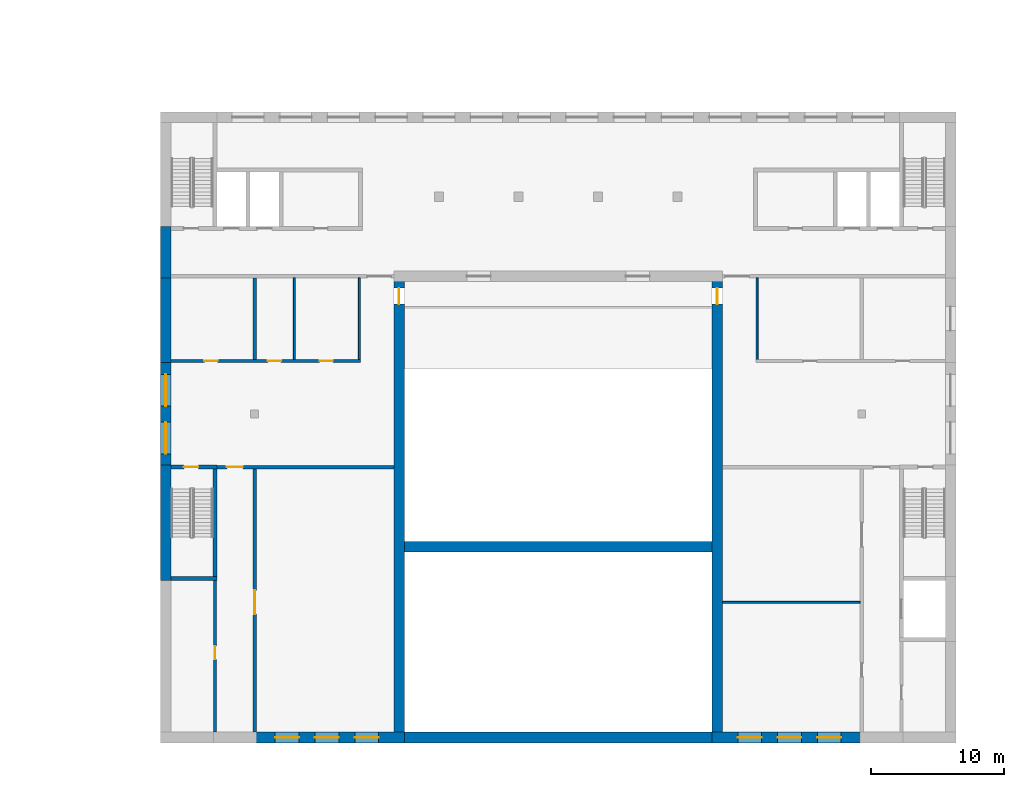
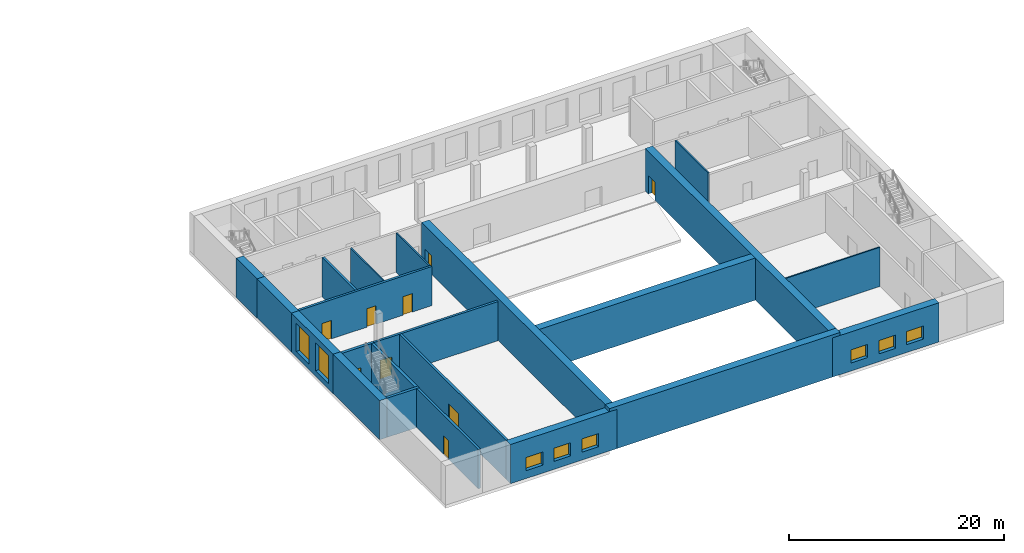
# One storey, part 3 of 24: 22 walls, 9 doors, 8 windows, 17 openings.
"""IFC4 building model written with IfcOpenShell, lengths in metres."""

from ifc_helpers import new_model, si_unit, direction, frame, frame_2d, origin, place, context, subcontext, project, spatial, rectangle, extrude, material, layer, layer_set, type_object, element, fill, save


model = new_model("IFC4")

# Units and contexts
model_context = context("Model", 3, precision=1e-05, world=origin(), true_north=direction((0.0, 1.0)))
body_context = subcontext(model_context, "Body", "Model", "MODEL_VIEW")
ifc_project = project(units=[si_unit("LENGTHUNIT", "METRE"), si_unit("AREAUNIT", "SQUARE_METRE"), si_unit("VOLUMEUNIT", "CUBIC_METRE"), si_unit("PLANEANGLEUNIT", "RADIAN"), si_unit("MASSUNIT", "GRAM", prefix="KILO")], contexts=[model_context])

# Site, building, storey
site_placement = place(None, origin())
site = spatial("IfcSite", under=ifc_project, at=site_placement, CompositionType="ELEMENT")
building_placement = place(site_placement, origin())
building = spatial("IfcBuilding", under=site, at=building_placement, Name="Kiln Ring Residences", CompositionType="ELEMENT")
storey_placement = place(building_placement, frame((0.0, 0.0, 11.300048828125)))
storey = spatial("IfcBuildingStorey", under=building, at=storey_placement, Name="L02", CompositionType="ELEMENT", Elevation=11.300048828125)

# Walls
ifc_material_1 = material(Name="Concrete C40/50", Category="concrete")
ifc_layer_1 = layer(ifc_material_1, 0.800048828125)
ifc_layer_set_1 = layer_set([ifc_layer_1], Name="Hall Board-marked concrete C40/50 hall wall 800")
wall_type_1 = type_object("IfcWallType", Name="Hall Board-marked concrete C40/50 hall wall 800", PredefinedType="SOLIDWALL", material=ifc_layer_set_1)
wall_1_placement = place(storey_placement, frame((-12.39990234375, -159.60009765625, 0.0), z_axis=(0.0, 0.0, 1.0), x_axis=(1.0, 0.0, 0.0)))
element("IfcWall", 1, at=wall_1_placement, inside=storey, type_object=wall_type_1, Name="Hall wall L02 4", PredefinedType="SOLIDWALL", context=body_context, shape_type="SweptSolid", body=[
    extrude(rectangle(XDim=24.7998046875, YDim=0.800048828125, at=frame_2d((12.39990234375, 0.0))), origin(), (0.0, 0.0, 1.0), 4.800048828125),
])
ifc_material_2 = material(Name="Concrete C40/50", Category="concrete")
ifc_layer_2 = layer(ifc_material_2, 0.800048828125)
ifc_layer_set_2 = layer_set([ifc_layer_2], Name="Hall Board-marked concrete C40/50 hall wall 800 internal")
wall_type_2 = type_object("IfcWallType", Name="Hall Board-marked concrete C40/50 hall wall 800 internal", PredefinedType="SOLIDWALL", material=ifc_layer_set_2)
wall_2_placement = place(storey_placement, frame((-11.60009765625, -145.199951171875, 0.0), z_axis=(0.0, 0.0, 1.0), x_axis=(1.0, 0.0, 0.0)))
element("IfcWall", 2, at=wall_2_placement, inside=storey, type_object=wall_type_2, Name="Hall wall L02 12", PredefinedType="SOLIDWALL", context=body_context, shape_type="SweptSolid", body=[
    extrude(rectangle(XDim=23.2001953125, YDim=0.800048828125, at=frame_2d((11.60009765625, 0.0))), origin(), (0.0, 0.0, 1.0), 4.800048828125),
])

# Wall, opening, door
wall_3_placement = place(storey_placement, frame((-12.0, -159.199951171875, 0.0), z_axis=(0.0, 0.0, 1.0), x_axis=(0.0, 1.0, 0.0)))
wall_3 = element("IfcWall", 3, at=wall_3_placement, inside=storey, type_object=wall_type_2, Name="Hall wall L02 45", PredefinedType="SOLIDWALL", context=body_context, shape_type="SweptSolid", body=[
    extrude(rectangle(XDim=34.125, YDim=0.800048828125, at=frame_2d((17.0625, 0.0))), origin(), (0.0, 0.0, 1.0), 4.800048828125),
])
opening_1_placement = place(wall_3_placement, frame((32.300048828125, 0.0, 0.0)))
opening_1 = element("IfcOpeningElement", 4, at=opening_1_placement, cuts=wall_3, Name="Opening L02-14", PredefinedType="OPENING", context=body_context, shape_type="SweptSolid", body=[
    extrude(rectangle(XDim=1.199951171875, YDim=2.10009765625, at=frame_2d((0.60009765625, 1.050048828125))), frame((0.0, 0.409912109375, 0.0), z_axis=(0.0, -1.0, 0.0), x_axis=(1.0, 0.0, 0.0)), (0.0, 0.0, 1.0), 0.820068359375),
])
ifc_material_3 = material(Name="Steel door leaf", Category="steel")
door_type_1 = type_object("IfcDoorType", Name="Hall Single door 1200 x 2100", OperationType="SINGLE_SWING_LEFT", PredefinedType="DOOR", material=ifc_material_3)
door_1_placement = place(opening_1_placement, origin())
door_1 = element("IfcDoor", 5, at=door_1_placement, inside=storey, type_object=door_type_1, Name="Hall door L02-14", OperationType="SINGLE_SWING_RIGHT", OverallHeight=2.10009765625, OverallWidth=1.199951171875, PredefinedType="DOOR", context=body_context, shape_type="SweptSolid", body=[
    extrude(rectangle(XDim=1.199951171875, YDim=2.10009765625, at=frame_2d((0.60009765625, 1.050048828125))), frame((0.0, 0.02490234375, 0.0), z_axis=(0.0, -1.0, 0.0), x_axis=(1.0, 0.0, 0.0)), (0.0, 0.0, 1.0), 0.050048828125),
])
fill(opening_1, door_1)

wall_4_placement = place(storey_placement, frame((12.0, -159.199951171875, 0.0), z_axis=(0.0, 0.0, 1.0), x_axis=(0.0, 1.0, 0.0)))
wall_4 = element("IfcWall", 6, at=wall_4_placement, inside=storey, type_object=wall_type_2, Name="Hall wall L02 46", PredefinedType="SOLIDWALL", context=body_context, shape_type="SweptSolid", body=[
    extrude(rectangle(XDim=34.125, YDim=0.800048828125, at=frame_2d((17.0625, 0.0))), origin(), (0.0, 0.0, 1.0), 4.800048828125),
])
opening_2_placement = place(wall_4_placement, frame((32.300048828125, 0.0, 0.0)))
opening_2 = element("IfcOpeningElement", 7, at=opening_2_placement, cuts=wall_4, Name="Opening L02-15", PredefinedType="OPENING", context=body_context, shape_type="SweptSolid", body=[
    extrude(rectangle(XDim=1.199951171875, YDim=2.10009765625, at=frame_2d((0.60009765625, 1.050048828125))), frame((0.0, 0.409912109375, 0.0), z_axis=(0.0, -1.0, 0.0), x_axis=(1.0, 0.0, 0.0)), (0.0, 0.0, 1.0), 0.820068359375),
])
door_2_placement = place(opening_2_placement, origin())
door_2 = element("IfcDoor", 8, at=door_2_placement, inside=storey, type_object=door_type_1, Name="Hall door L02-15", OperationType="SINGLE_SWING_LEFT", OverallHeight=2.10009765625, OverallWidth=1.199951171875, PredefinedType="DOOR", context=body_context, shape_type="SweptSolid", body=[
    extrude(rectangle(XDim=1.199951171875, YDim=2.10009765625, at=frame_2d((0.60009765625, 1.050048828125))), frame((0.0, 0.02490234375, 0.0), z_axis=(0.0, -1.0, 0.0), x_axis=(1.0, 0.0, 0.0)), (0.0, 0.0, 1.0), 0.050048828125),
])
fill(opening_2, door_2)

# Wall, openings, windows
ifc_material_4 = material(Name="Concrete C40/50", Category="concrete")
ifc_layer_3 = layer(ifc_material_4, 0.800048828125)
ifc_layer_set_3 = layer_set([ifc_layer_3], Name="Hall Exposed brick-faced reinforced concrete C40/50 wall 800")
wall_type_3 = type_object("IfcWallType", Name="Hall Exposed brick-faced reinforced concrete C40/50 wall 800", PredefinedType="SOLIDWALL", material=ifc_layer_set_3)
wall_5_placement = place(storey_placement, frame((-23.02490234375, -159.60009765625, 0.0), z_axis=(0.0, 0.0, 1.0), x_axis=(1.0, 0.0, 0.0)))
wall_5 = element("IfcWall", 9, at=wall_5_placement, inside=storey, type_object=wall_type_3, Name="Hall wall L02 3", PredefinedType="SOLIDWALL", context=body_context, shape_type="SweptSolid", body=[
    extrude(rectangle(XDim=11.4248046875, YDim=0.800048828125, at=frame_2d((5.71240234375, 0.0))), origin(), (0.0, 0.0, 1.0), 4.449951171875),
])
opening_3_placement = place(wall_5_placement, frame((1.6748046875, 0.0, 0.89990234375)))
opening_3 = element("IfcOpeningElement", 10, at=opening_3_placement, cuts=wall_5, Name="Opening WL02-20", PredefinedType="OPENING", context=body_context, shape_type="SweptSolid", body=[
    extrude(rectangle(XDim=1.800048828125, YDim=1.5, at=frame_2d((0.89990234375, 0.75))), frame((0.0, 0.409912109375, 0.0), z_axis=(0.0, -1.0, 0.0), x_axis=(1.0, 0.0, 0.0)), (0.0, 0.0, 1.0), 0.820068359375),
])
opening_4_placement = place(wall_5_placement, frame((4.6748046875, 0.0, 0.89990234375)))
opening_4 = element("IfcOpeningElement", 11, at=opening_4_placement, cuts=wall_5, Name="Opening WL02-21", PredefinedType="OPENING", context=body_context, shape_type="SweptSolid", body=[
    extrude(rectangle(XDim=1.800048828125, YDim=1.5, at=frame_2d((0.89990234375, 0.75))), frame((0.0, 0.409912109375, 0.0), z_axis=(0.0, -1.0, 0.0), x_axis=(1.0, 0.0, 0.0)), (0.0, 0.0, 1.0), 0.820068359375),
])
opening_5_placement = place(wall_5_placement, frame((7.6748046875, 0.0, 0.89990234375)))
opening_5 = element("IfcOpeningElement", 12, at=opening_5_placement, cuts=wall_5, Name="Opening WL02-22", PredefinedType="OPENING", context=body_context, shape_type="SweptSolid", body=[
    extrude(rectangle(XDim=1.800048828125, YDim=1.5, at=frame_2d((0.89990234375, 0.75))), frame((0.0, 0.409912109375, 0.0), z_axis=(0.0, -1.0, 0.0), x_axis=(1.0, 0.0, 0.0)), (0.0, 0.0, 1.0), 0.820068359375),
])
ifc_material_5 = material(Name="Glazing in aluminium frame", Category="aluminium")
window_type_1 = type_object("IfcWindowType", Name="Hall room window 1800 x 1500", PartitioningType="DOUBLE_PANEL_VERTICAL", PredefinedType="WINDOW", material=ifc_material_5)
window_1_placement = place(opening_3_placement, origin())
window_1 = element("IfcWindow", 13, at=window_1_placement, inside=storey, type_object=window_type_1, Name="Hall window L02-20", OverallHeight=1.5, OverallWidth=1.800048828125, PartitioningType="SINGLE_PANEL", PredefinedType="WINDOW", context=body_context, shape_type="SweptSolid", body=[
    extrude(rectangle(XDim=1.800048828125, YDim=1.5, at=frame_2d((0.89990234375, 0.75))), frame((0.0, 0.030029296875, 0.0), z_axis=(0.0, -1.0, 0.0), x_axis=(1.0, 0.0, 0.0)), (0.0, 0.0, 1.0), 0.06005859375),
])
fill(opening_3, window_1)
window_2_placement = place(opening_4_placement, origin())
window_2 = element("IfcWindow", 14, at=window_2_placement, inside=storey, type_object=window_type_1, Name="Hall window L02-21", OverallHeight=1.5, OverallWidth=1.800048828125, PartitioningType="SINGLE_PANEL", PredefinedType="WINDOW", context=body_context, shape_type="SweptSolid", body=[
    extrude(rectangle(XDim=1.800048828125, YDim=1.5, at=frame_2d((0.89990234375, 0.75))), frame((0.0, 0.030029296875, 0.0), z_axis=(0.0, -1.0, 0.0), x_axis=(1.0, 0.0, 0.0)), (0.0, 0.0, 1.0), 0.06005859375),
])
fill(opening_4, window_2)
window_3_placement = place(opening_5_placement, origin())
window_3 = element("IfcWindow", 15, at=window_3_placement, inside=storey, type_object=window_type_1, Name="Hall window L02-22", OverallHeight=1.5, OverallWidth=1.800048828125, PartitioningType="SINGLE_PANEL", PredefinedType="WINDOW", context=body_context, shape_type="SweptSolid", body=[
    extrude(rectangle(XDim=1.800048828125, YDim=1.5, at=frame_2d((0.89990234375, 0.75))), frame((0.0, 0.030029296875, 0.0), z_axis=(0.0, -1.0, 0.0), x_axis=(1.0, 0.0, 0.0)), (0.0, 0.0, 1.0), 0.06005859375),
])
fill(opening_5, window_3)

wall_6_placement = place(storey_placement, frame((11.60009765625, -159.60009765625, 0.0), z_axis=(0.0, 0.0, 1.0), x_axis=(1.0, 0.0, 0.0)))
wall_6 = element("IfcWall", 16, at=wall_6_placement, inside=storey, type_object=wall_type_3, Name="Hall wall L02 5", PredefinedType="SOLIDWALL", context=body_context, shape_type="SweptSolid", body=[
    extrude(rectangle(XDim=11.4248046875, YDim=0.800048828125, at=frame_2d((5.71240234375, 0.0))), origin(), (0.0, 0.0, 1.0), 4.449951171875),
])
opening_6_placement = place(wall_6_placement, frame((1.949951171875, 0.0, 0.89990234375)))
opening_6 = element("IfcOpeningElement", 17, at=opening_6_placement, cuts=wall_6, Name="Opening WL02-23", PredefinedType="OPENING", context=body_context, shape_type="SweptSolid", body=[
    extrude(rectangle(XDim=1.800048828125, YDim=1.5, at=frame_2d((0.89990234375, 0.75))), frame((0.0, 0.409912109375, 0.0), z_axis=(0.0, -1.0, 0.0), x_axis=(1.0, 0.0, 0.0)), (0.0, 0.0, 1.0), 0.820068359375),
])
opening_7_placement = place(wall_6_placement, frame((4.949951171875, 0.0, 0.89990234375)))
opening_7 = element("IfcOpeningElement", 18, at=opening_7_placement, cuts=wall_6, Name="Opening WL02-24", PredefinedType="OPENING", context=body_context, shape_type="SweptSolid", body=[
    extrude(rectangle(XDim=1.800048828125, YDim=1.5, at=frame_2d((0.89990234375, 0.75))), frame((0.0, 0.409912109375, 0.0), z_axis=(0.0, -1.0, 0.0), x_axis=(1.0, 0.0, 0.0)), (0.0, 0.0, 1.0), 0.820068359375),
])
opening_8_placement = place(wall_6_placement, frame((7.949951171875, 0.0, 0.89990234375)))
opening_8 = element("IfcOpeningElement", 19, at=opening_8_placement, cuts=wall_6, Name="Opening WL02-25", PredefinedType="OPENING", context=body_context, shape_type="SweptSolid", body=[
    extrude(rectangle(XDim=1.800048828125, YDim=1.5, at=frame_2d((0.89990234375, 0.75))), frame((0.0, 0.409912109375, 0.0), z_axis=(0.0, -1.0, 0.0), x_axis=(1.0, 0.0, 0.0)), (0.0, 0.0, 1.0), 0.820068359375),
])
window_4_placement = place(opening_6_placement, origin())
window_4 = element("IfcWindow", 20, at=window_4_placement, inside=storey, type_object=window_type_1, Name="Hall window L02-23", OverallHeight=1.5, OverallWidth=1.800048828125, PartitioningType="SINGLE_PANEL", PredefinedType="WINDOW", context=body_context, shape_type="SweptSolid", body=[
    extrude(rectangle(XDim=1.800048828125, YDim=1.5, at=frame_2d((0.89990234375, 0.75))), frame((0.0, 0.030029296875, 0.0), z_axis=(0.0, -1.0, 0.0), x_axis=(1.0, 0.0, 0.0)), (0.0, 0.0, 1.0), 0.06005859375),
])
fill(opening_6, window_4)
window_5_placement = place(opening_7_placement, origin())
window_5 = element("IfcWindow", 21, at=window_5_placement, inside=storey, type_object=window_type_1, Name="Hall window L02-24", OverallHeight=1.5, OverallWidth=1.800048828125, PartitioningType="SINGLE_PANEL", PredefinedType="WINDOW", context=body_context, shape_type="SweptSolid", body=[
    extrude(rectangle(XDim=1.800048828125, YDim=1.5, at=frame_2d((0.89990234375, 0.75))), frame((0.0, 0.030029296875, 0.0), z_axis=(0.0, -1.0, 0.0), x_axis=(1.0, 0.0, 0.0)), (0.0, 0.0, 1.0), 0.06005859375),
])
fill(opening_7, window_5)
window_6_placement = place(opening_8_placement, origin())
window_6 = element("IfcWindow", 22, at=window_6_placement, inside=storey, type_object=window_type_1, Name="Hall window L02-25", OverallHeight=1.5, OverallWidth=1.800048828125, PartitioningType="SINGLE_PANEL", PredefinedType="WINDOW", context=body_context, shape_type="SweptSolid", body=[
    extrude(rectangle(XDim=1.800048828125, YDim=1.5, at=frame_2d((0.89990234375, 0.75))), frame((0.0, 0.030029296875, 0.0), z_axis=(0.0, -1.0, 0.0), x_axis=(1.0, 0.0, 0.0)), (0.0, 0.0, 1.0), 0.06005859375),
])
fill(opening_8, window_6)

# Wall
wall_7_placement = place(storey_placement, frame((-29.60009765625, -147.75, 0.0), z_axis=(0.0, 0.0, 1.0), x_axis=(0.0, 1.0, 0.0)))
element("IfcWall", 23, at=wall_7_placement, inside=storey, type_object=wall_type_3, Name="Hall wall L02 30", PredefinedType="SOLIDWALL", context=body_context, shape_type="SweptSolid", body=[
    extrude(rectangle(XDim=8.699951171875, YDim=0.800048828125, at=frame_2d((4.35009765625, 0.0))), origin(), (0.0, 0.0, 1.0), 4.449951171875),
])

# Wall, openings, windows
wall_8_placement = place(storey_placement, frame((-29.60009765625, -139.349853515625, 0.0), z_axis=(0.0, 0.0, 1.0), x_axis=(0.0, 1.0, 0.0)))
wall_8 = element("IfcWall", 24, at=wall_8_placement, inside=storey, type_object=wall_type_3, Name="Hall wall L02 31", PredefinedType="SOLIDWALL", context=body_context, shape_type="SweptSolid", body=[
    extrude(rectangle(XDim=8.274658203125, YDim=0.800048828125, at=frame_2d((4.13720703125, 0.0))), origin(), (0.0, 0.0, 1.0), 4.449951171875),
])
opening_9_placement = place(wall_8_placement, frame((1.14990234375, 0.0, 0.60009765625)))
opening_9 = element("IfcOpeningElement", 25, at=opening_9_placement, cuts=wall_8, Name="Opening WL02-15", PredefinedType="OPENING", context=body_context, shape_type="SweptSolid", body=[
    extrude(rectangle(XDim=2.39990234375, YDim=3.199951171875, at=frame_2d((1.199951171875, 1.60009765625))), frame((0.0, 0.409912109375, 0.0), z_axis=(0.0, -1.0, 0.0), x_axis=(1.0, 0.0, 0.0)), (0.0, 0.0, 1.0), 0.820068359375),
])
opening_10_placement = place(wall_8_placement, frame((4.75, 0.0, 0.60009765625)))
opening_10 = element("IfcOpeningElement", 26, at=opening_10_placement, cuts=wall_8, Name="Opening WL02-16", PredefinedType="OPENING", context=body_context, shape_type="SweptSolid", body=[
    extrude(rectangle(XDim=2.39990234375, YDim=3.199951171875, at=frame_2d((1.199951171875, 1.60009765625))), frame((0.0, 0.409912109375, 0.0), z_axis=(0.0, -1.0, 0.0), x_axis=(1.0, 0.0, 0.0)), (0.0, 0.0, 1.0), 0.820068359375),
])
ifc_material_6 = material(Name="Glazing in aluminium frame", Category="aluminium")
window_type_2 = type_object("IfcWindowType", Name="Hall foyer window 2400 x 3200", PartitioningType="SINGLE_PANEL", PredefinedType="WINDOW", material=ifc_material_6)
window_7_placement = place(opening_9_placement, origin())
window_7 = element("IfcWindow", 27, at=window_7_placement, inside=storey, type_object=window_type_2, Name="Hall window L02-15", OverallHeight=3.199951171875, OverallWidth=2.39990234375, PartitioningType="SINGLE_PANEL", PredefinedType="WINDOW", context=body_context, shape_type="SweptSolid", body=[
    extrude(rectangle(XDim=2.39990234375, YDim=3.199951171875, at=frame_2d((1.199951171875, 1.60009765625))), frame((0.0, 0.030029296875, 0.0), z_axis=(0.0, -1.0, 0.0), x_axis=(1.0, 0.0, 0.0)), (0.0, 0.0, 1.0), 0.06005859375),
])
fill(opening_9, window_7)
window_8_placement = place(opening_10_placement, origin())
window_8 = element("IfcWindow", 28, at=window_8_placement, inside=storey, type_object=window_type_2, Name="Hall window L02-16", OverallHeight=3.199951171875, OverallWidth=2.39990234375, PartitioningType="SINGLE_PANEL", PredefinedType="WINDOW", context=body_context, shape_type="SweptSolid", body=[
    extrude(rectangle(XDim=2.39990234375, YDim=3.199951171875, at=frame_2d((1.199951171875, 1.60009765625))), frame((0.0, 0.030029296875, 0.0), z_axis=(0.0, -1.0, 0.0), x_axis=(1.0, 0.0, 0.0)), (0.0, 0.0, 1.0), 0.06005859375),
])
fill(opening_10, window_8)

# Walls
wall_9_placement = place(storey_placement, frame((-29.60009765625, -131.324951171875, 0.0), z_axis=(0.0, 0.0, 1.0), x_axis=(0.0, 1.0, 0.0)))
element("IfcWall", 29, at=wall_9_placement, inside=storey, type_object=wall_type_3, Name="Hall wall L02 32", PredefinedType="SOLIDWALL", context=body_context, shape_type="SweptSolid", body=[
    extrude(rectangle(XDim=6.64990234375, YDim=0.800048828125, at=frame_2d((3.324951171875, 0.0))), origin(), (0.0, 0.0, 1.0), 4.449951171875),
])
wall_10_placement = place(storey_placement, frame((-29.60009765625, -124.9248046875, 0.0), z_axis=(0.0, 0.0, 1.0), x_axis=(0.0, 1.0, 0.0)))
element("IfcWall", 30, at=wall_10_placement, inside=storey, type_object=wall_type_3, Name="Hall wall L02 33", PredefinedType="SOLIDWALL", context=body_context, shape_type="SweptSolid", body=[
    extrude(rectangle(XDim=3.874755859375, YDim=0.800048828125, at=frame_2d((1.9375, 0.0))), origin(), (0.0, 0.0, 1.0), 4.449951171875),
])
ifc_material_7 = material(Name="Concrete C40/50", Category="concrete")
ifc_layer_4 = layer(ifc_material_7, 0.300048828125)
ifc_layer_set_4 = layer_set([ifc_layer_4], Name="Hall Reinforced concrete C40/50 core wall 300")
wall_type_4 = type_object("IfcWallType", Name="Hall Reinforced concrete C40/50 core wall 300", PredefinedType="SOLIDWALL", material=ifc_layer_set_4)
wall_11_placement = place(storey_placement, frame((-29.199951171875, -147.60009765625, 0.0), z_axis=(0.0, 0.0, 1.0), x_axis=(1.0, 0.0, 0.0)))
element("IfcWall", 31, at=wall_11_placement, inside=storey, type_object=wall_type_4, Name="Hall wall L02 10", PredefinedType="SOLIDWALL", context=body_context, shape_type="SweptSolid", body=[
    extrude(rectangle(XDim=3.449951171875, YDim=0.300048828125, at=frame_2d((1.72509765625, 0.0))), origin(), (0.0, 0.0, 1.0), 4.449951171875),
])

# Wall, opening, door
wall_12_placement = place(storey_placement, frame((-29.199951171875, -139.199951171875, 0.0), z_axis=(0.0, 0.0, 1.0), x_axis=(1.0, 0.0, 0.0)))
wall_12 = element("IfcWall", 32, at=wall_12_placement, inside=storey, type_object=wall_type_4, Name="Hall wall L02 13", PredefinedType="SOLIDWALL", context=body_context, shape_type="SweptSolid", body=[
    extrude(rectangle(XDim=3.449951171875, YDim=0.300048828125, at=frame_2d((1.72509765625, 0.0))), origin(), (0.0, 0.0, 1.0), 4.449951171875),
])
opening_11_placement = place(wall_12_placement, frame((0.949951171875, 0.0, 0.0)))
opening_11 = element("IfcOpeningElement", 33, at=opening_11_placement, cuts=wall_12, Name="Opening L02-08", PredefinedType="OPENING", context=body_context, shape_type="SweptSolid", body=[
    extrude(rectangle(XDim=1.10009765625, YDim=2.10009765625, at=frame_2d((0.550048828125, 1.050048828125))), frame((0.0, 0.159912109375, 0.0), z_axis=(0.0, -1.0, 0.0), x_axis=(1.0, 0.0, 0.0)), (0.0, 0.0, 1.0), 0.320068359375),
])
ifc_material_8 = material(Name="Steel door leaf", Category="steel")
door_type_2 = type_object("IfcDoorType", Name="Hall Stair door 1100 x 2100", OperationType="SINGLE_SWING_LEFT", PredefinedType="DOOR", material=ifc_material_8)
door_3_placement = place(opening_11_placement, origin())
door_3 = element("IfcDoor", 34, at=door_3_placement, inside=storey, type_object=door_type_2, Name="Hall door L02-08", OperationType="SINGLE_SWING_RIGHT", OverallHeight=2.10009765625, OverallWidth=1.10009765625, PredefinedType="DOOR", context=body_context, shape_type="SweptSolid", body=[
    extrude(rectangle(XDim=1.10009765625, YDim=2.10009765625, at=frame_2d((0.550048828125, 1.050048828125))), frame((0.0, 0.02490234375, 0.0), z_axis=(0.0, -1.0, 0.0), x_axis=(1.0, 0.0, 0.0)), (0.0, 0.0, 1.0), 0.050048828125),
])
fill(opening_11, door_3)

# Wall
wall_13_placement = place(storey_placement, frame((-25.89990234375, -147.449951171875, 0.0), z_axis=(0.0, 0.0, 1.0), x_axis=(0.0, 1.0, 0.0)))
element("IfcWall", 35, at=wall_13_placement, inside=storey, type_object=wall_type_4, Name="Hall wall L02 36", PredefinedType="SOLIDWALL", context=body_context, shape_type="SweptSolid", body=[
    extrude(rectangle(XDim=8.224853515625, YDim=0.300048828125, at=frame_2d((4.1123046875, 0.0))), origin(), (0.0, 0.0, 1.0), 4.449951171875),
])

# Wall, opening, door
ifc_material_9 = material(Name="Concrete C40/50", Category="concrete")
ifc_layer_5 = layer(ifc_material_9, 0.25)
ifc_layer_set_5 = layer_set([ifc_layer_5], Name="Hall Reinforced concrete C40/50 wall 250")
wall_type_5 = type_object("IfcWallType", Name="Hall Reinforced concrete C40/50 wall 250", PredefinedType="SOLIDWALL", material=ifc_layer_set_5)
wall_14_placement = place(storey_placement, frame((-25.75, -139.199951171875, 0.0), z_axis=(0.0, 0.0, 1.0), x_axis=(1.0, 0.0, 0.0)))
wall_14 = element("IfcWall", 36, at=wall_14_placement, inside=storey, type_object=wall_type_5, Name="Hall wall L02 14", PredefinedType="SOLIDWALL", context=body_context, shape_type="SweptSolid", body=[
    extrude(rectangle(XDim=13.35009765625, YDim=0.25, at=frame_2d((6.675048828125, 0.0))), origin(), (0.0, 0.0, 1.0), 4.449951171875),
])
opening_12_placement = place(wall_14_placement, frame((0.75, 0.0, 0.0)))
opening_12 = element("IfcOpeningElement", 37, at=opening_12_placement, cuts=wall_14, Name="Opening L02-21", PredefinedType="OPENING", context=body_context, shape_type="SweptSolid", body=[
    extrude(rectangle(XDim=1.199951171875, YDim=2.10009765625, at=frame_2d((0.60009765625, 1.050048828125))), frame((0.0, 0.135009765625, 0.0), z_axis=(0.0, -1.0, 0.0), x_axis=(1.0, 0.0, 0.0)), (0.0, 0.0, 1.0), 0.27001953125),
])
door_4_placement = place(opening_12_placement, origin())
door_4 = element("IfcDoor", 38, at=door_4_placement, inside=storey, type_object=door_type_1, Name="Hall door L02-21", OperationType="SINGLE_SWING_LEFT", OverallHeight=2.10009765625, OverallWidth=1.199951171875, PredefinedType="DOOR", context=body_context, shape_type="SweptSolid", body=[
    extrude(rectangle(XDim=1.199951171875, YDim=2.10009765625, at=frame_2d((0.60009765625, 1.050048828125))), frame((0.0, 0.02490234375, 0.0), z_axis=(0.0, -1.0, 0.0), x_axis=(1.0, 0.0, 0.0)), (0.0, 0.0, 1.0), 0.050048828125),
])
fill(opening_12, door_4)

# Wall, openings, doors
wall_15_placement = place(storey_placement, frame((-29.199951171875, -131.199951171875, 0.0), z_axis=(0.0, 0.0, 1.0), x_axis=(1.0, 0.0, 0.0)))
wall_15 = element("IfcWall", 39, at=wall_15_placement, inside=storey, type_object=wall_type_5, Name="Hall wall L02 17", PredefinedType="SOLIDWALL", context=body_context, shape_type="SweptSolid", body=[
    extrude(rectangle(XDim=14.27490234375, YDim=0.25, at=frame_2d((7.137451171875, 0.0))), origin(), (0.0, 0.0, 1.0), 4.449951171875),
])
opening_13_placement = place(wall_15_placement, frame((2.5, 0.0, 0.0)))
opening_13 = element("IfcOpeningElement", 40, at=opening_13_placement, cuts=wall_15, Name="Opening L02-18", PredefinedType="OPENING", context=body_context, shape_type="SweptSolid", body=[
    extrude(rectangle(XDim=1.0, YDim=2.10009765625, at=frame_2d((0.5, 1.050048828125))), frame((0.0, 0.135009765625, 0.0), z_axis=(0.0, -1.0, 0.0), x_axis=(1.0, 0.0, 0.0)), (0.0, 0.0, 1.0), 0.27001953125),
])
opening_14_placement = place(wall_15_placement, frame((7.300048828125, 0.0, 0.0)))
opening_14 = element("IfcOpeningElement", 41, at=opening_14_placement, cuts=wall_15, Name="Opening L02-19", PredefinedType="OPENING", context=body_context, shape_type="SweptSolid", body=[
    extrude(rectangle(XDim=1.0, YDim=2.10009765625, at=frame_2d((0.5, 1.050048828125))), frame((0.0, 0.135009765625, 0.0), z_axis=(0.0, -1.0, 0.0), x_axis=(1.0, 0.0, 0.0)), (0.0, 0.0, 1.0), 0.27001953125),
])
opening_15_placement = place(wall_15_placement, frame((11.199951171875, 0.0, 0.0)))
opening_15 = element("IfcOpeningElement", 42, at=opening_15_placement, cuts=wall_15, Name="Opening L02-20", PredefinedType="OPENING", context=body_context, shape_type="SweptSolid", body=[
    extrude(rectangle(XDim=1.0, YDim=2.10009765625, at=frame_2d((0.5, 1.050048828125))), frame((0.0, 0.135009765625, 0.0), z_axis=(0.0, -1.0, 0.0), x_axis=(1.0, 0.0, 0.0)), (0.0, 0.0, 1.0), 0.27001953125),
])
ifc_material_10 = material(Name="Steel door leaf", Category="steel")
door_type_3 = type_object("IfcDoorType", Name="Hall Single door 1000 x 2100", OperationType="SINGLE_SWING_LEFT", PredefinedType="DOOR", material=ifc_material_10)
door_5_placement = place(opening_13_placement, origin())
door_5 = element("IfcDoor", 43, at=door_5_placement, inside=storey, type_object=door_type_3, Name="Hall door L02-18", OperationType="SINGLE_SWING_RIGHT", OverallHeight=2.10009765625, OverallWidth=1.0, PredefinedType="DOOR", context=body_context, shape_type="SweptSolid", body=[
    extrude(rectangle(XDim=1.0, YDim=2.10009765625, at=frame_2d((0.5, 1.050048828125))), frame((0.0, 0.02490234375, 0.0), z_axis=(0.0, -1.0, 0.0), x_axis=(1.0, 0.0, 0.0)), (0.0, 0.0, 1.0), 0.050048828125),
])
fill(opening_13, door_5)
door_6_placement = place(opening_14_placement, origin())
door_6 = element("IfcDoor", 44, at=door_6_placement, inside=storey, type_object=door_type_3, Name="Hall door L02-19", OperationType="SINGLE_SWING_LEFT", OverallHeight=2.10009765625, OverallWidth=1.0, PredefinedType="DOOR", context=body_context, shape_type="SweptSolid", body=[
    extrude(rectangle(XDim=1.0, YDim=2.10009765625, at=frame_2d((0.5, 1.050048828125))), frame((0.0, 0.02490234375, 0.0), z_axis=(0.0, -1.0, 0.0), x_axis=(1.0, 0.0, 0.0)), (0.0, 0.0, 1.0), 0.050048828125),
])
fill(opening_14, door_6)
door_7_placement = place(opening_15_placement, origin())
door_7 = element("IfcDoor", 45, at=door_7_placement, inside=storey, type_object=door_type_3, Name="Hall door L02-20", OperationType="SINGLE_SWING_RIGHT", OverallHeight=2.10009765625, OverallWidth=1.0, PredefinedType="DOOR", context=body_context, shape_type="SweptSolid", body=[
    extrude(rectangle(XDim=1.0, YDim=2.10009765625, at=frame_2d((0.5, 1.050048828125))), frame((0.0, 0.02490234375, 0.0), z_axis=(0.0, -1.0, 0.0), x_axis=(1.0, 0.0, 0.0)), (0.0, 0.0, 1.0), 0.050048828125),
])
fill(opening_15, door_7)

# Wall, opening, door
wall_16_placement = place(storey_placement, frame((-25.89990234375, -159.199951171875, 0.0), z_axis=(0.0, 0.0, 1.0), x_axis=(0.0, 1.0, 0.0)))
wall_16 = element("IfcWall", 46, at=wall_16_placement, inside=storey, type_object=wall_type_5, Name="Hall wall L02 35", PredefinedType="SOLIDWALL", context=body_context, shape_type="SweptSolid", body=[
    extrude(rectangle(XDim=11.449951171875, YDim=0.25, at=frame_2d((5.72509765625, 0.0))), origin(), (0.0, 0.0, 1.0), 4.449951171875),
])
opening_16_placement = place(wall_16_placement, frame((5.5, 0.0, 0.0)))
opening_16 = element("IfcOpeningElement", 47, at=opening_16_placement, cuts=wall_16, Name="Opening L02-24", PredefinedType="OPENING", context=body_context, shape_type="SweptSolid", body=[
    extrude(rectangle(XDim=1.0, YDim=2.10009765625, at=frame_2d((0.5, 1.050048828125))), frame((0.0, 0.135009765625, 0.0), z_axis=(0.0, -1.0, 0.0), x_axis=(1.0, 0.0, 0.0)), (0.0, 0.0, 1.0), 0.27001953125),
])
door_8_placement = place(opening_16_placement, origin())
door_8 = element("IfcDoor", 48, at=door_8_placement, inside=storey, type_object=door_type_3, Name="Hall door L02-24", OperationType="SINGLE_SWING_RIGHT", OverallHeight=2.10009765625, OverallWidth=1.0, PredefinedType="DOOR", context=body_context, shape_type="SweptSolid", body=[
    extrude(rectangle(XDim=1.0, YDim=2.10009765625, at=frame_2d((0.5, 1.050048828125))), frame((0.0, 0.02490234375, 0.0), z_axis=(0.0, -1.0, 0.0), x_axis=(1.0, 0.0, 0.0)), (0.0, 0.0, 1.0), 0.050048828125),
])
fill(opening_16, door_8)

wall_17_placement = place(storey_placement, frame((-22.89990234375, -159.199951171875, 0.0), z_axis=(0.0, 0.0, 1.0), x_axis=(0.0, 1.0, 0.0)))
wall_17 = element("IfcWall", 49, at=wall_17_placement, inside=storey, type_object=wall_type_5, Name="Hall wall L02 39", PredefinedType="SOLIDWALL", context=body_context, shape_type="SweptSolid", body=[
    extrude(rectangle(XDim=19.875, YDim=0.25, at=frame_2d((9.9375, 0.0))), origin(), (0.0, 0.0, 1.0), 4.449951171875),
])
opening_17_placement = place(wall_17_placement, frame((8.89990234375, 0.0, 0.0)))
opening_17 = element("IfcOpeningElement", 50, at=opening_17_placement, cuts=wall_17, Name="Opening L02-23", PredefinedType="OPENING", context=body_context, shape_type="SweptSolid", body=[
    extrude(rectangle(XDim=1.800048828125, YDim=2.10009765625, at=frame_2d((0.89990234375, 1.050048828125))), frame((0.0, 0.135009765625, 0.0), z_axis=(0.0, -1.0, 0.0), x_axis=(1.0, 0.0, 0.0)), (0.0, 0.0, 1.0), 0.27001953125),
])
ifc_material_11 = material(Name="Steel door leaf", Category="steel")
door_type_4 = type_object("IfcDoorType", Name="Hall Double door 1800 x 2100", OperationType="DOUBLE_DOOR_SINGLE_SWING", PredefinedType="DOOR", material=ifc_material_11)
door_9_placement = place(opening_17_placement, origin())
door_9 = element("IfcDoor", 51, at=door_9_placement, inside=storey, type_object=door_type_4, Name="Hall door L02-23", OperationType="DOUBLE_DOOR_SINGLE_SWING", OverallHeight=2.10009765625, OverallWidth=1.800048828125, PredefinedType="DOOR", context=body_context, shape_type="SweptSolid", body=[
    extrude(rectangle(XDim=1.800048828125, YDim=2.10009765625, at=frame_2d((0.89990234375, 1.050048828125))), frame((0.0, 0.02490234375, 0.0), z_axis=(0.0, -1.0, 0.0), x_axis=(1.0, 0.0, 0.0)), (0.0, 0.0, 1.0), 0.050048828125),
])
fill(opening_17, door_9)

# Walls
wall_18_placement = place(storey_placement, frame((-22.89990234375, -131.074951171875, 0.0), z_axis=(0.0, 0.0, 1.0), x_axis=(0.0, 1.0, 0.0)))
element("IfcWall", 52, at=wall_18_placement, inside=storey, type_object=wall_type_5, Name="Hall wall L02 40", PredefinedType="SOLIDWALL", context=body_context, shape_type="SweptSolid", body=[
    extrude(rectangle(XDim=6.14990234375, YDim=0.25, at=frame_2d((3.074951171875, 0.0))), origin(), (0.0, 0.0, 1.0), 4.449951171875),
])
ifc_material_12 = material(Name="Masonry blockwork f'm 10 MPa", Category="masonry")
ifc_layer_6 = layer(ifc_material_12, 0.14990234375)
ifc_layer_set_6 = layer_set([ifc_layer_6], Name="Hall blockwork partition 150")
wall_type_6 = type_object("IfcWallType", Name="Hall blockwork partition 150", PredefinedType="PARTITIONING", material=ifc_layer_set_6)
wall_19_placement = place(storey_placement, frame((12.39990234375, -149.39990234375, 0.0), z_axis=(0.0, 0.0, 1.0), x_axis=(1.0, 0.0, 0.0)))
element("IfcWall", 53, at=wall_19_placement, inside=storey, type_object=wall_type_6, Name="Hall wall L02 9", PredefinedType="PARTITIONING", context=body_context, shape_type="SweptSolid", body=[
    extrude(rectangle(XDim=10.375, YDim=0.14990234375, at=frame_2d((5.1875, 0.0))), origin(), (0.0, 0.0, 1.0), 4.449951171875),
])
for number, where, z_axis, x_axis, name in (
    (54, (-19.89990234375, -131.074951171875, 0.0), (0.0, 0.0, 1.0), (0.0, 1.0, 0.0), "Hall wall L02 42"),
    (55, (-15.0, -131.074951171875, 0.0), (0.0, 0.0, 1.0), (0.0, 1.0, 0.0), "Hall wall L02 43"),
    (56, (15.0, -131.074951171875, 0.0), (0.0, 0.0, 1.0), (0.0, 1.0, 0.0), "Hall wall L02 48"),
):
    element("IfcWall", number, at=place(storey_placement, frame(where, z_axis=z_axis, x_axis=x_axis)), inside=storey, type_object=wall_type_6, Name=name, PredefinedType="PARTITIONING", context=body_context, shape_type="SweptSolid", body=[
        extrude(rectangle(XDim=6.14990234375, YDim=0.14990234375, at=frame_2d((3.074951171875, 0.0))), origin(), (0.0, 0.0, 1.0), 4.449951171875),
    ])

save(model, "model.ifc")
